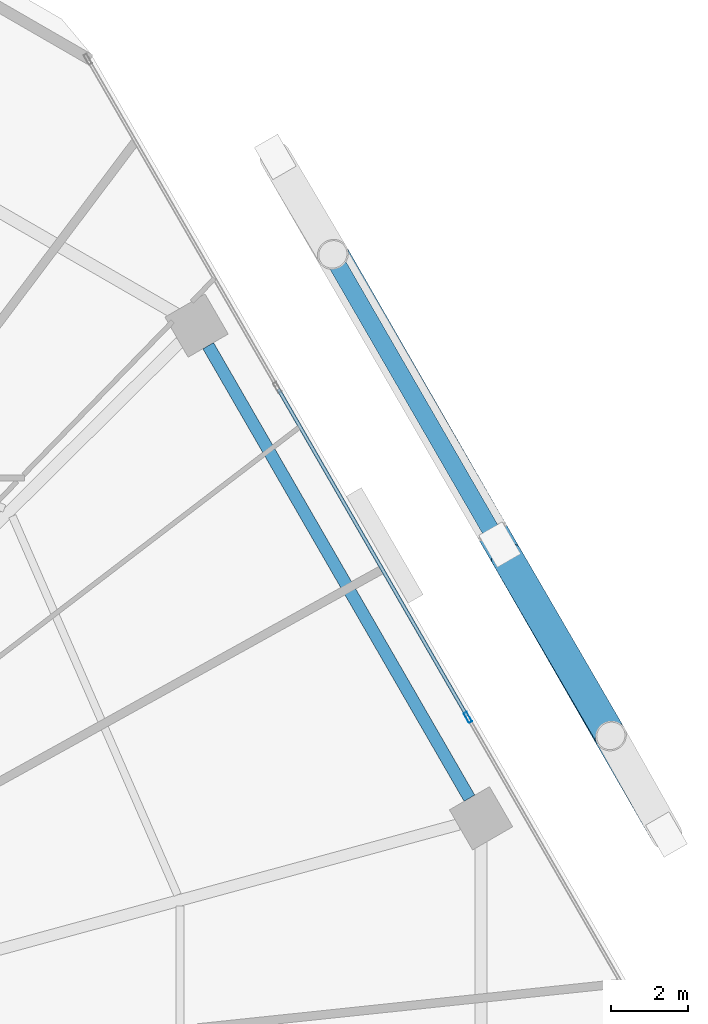
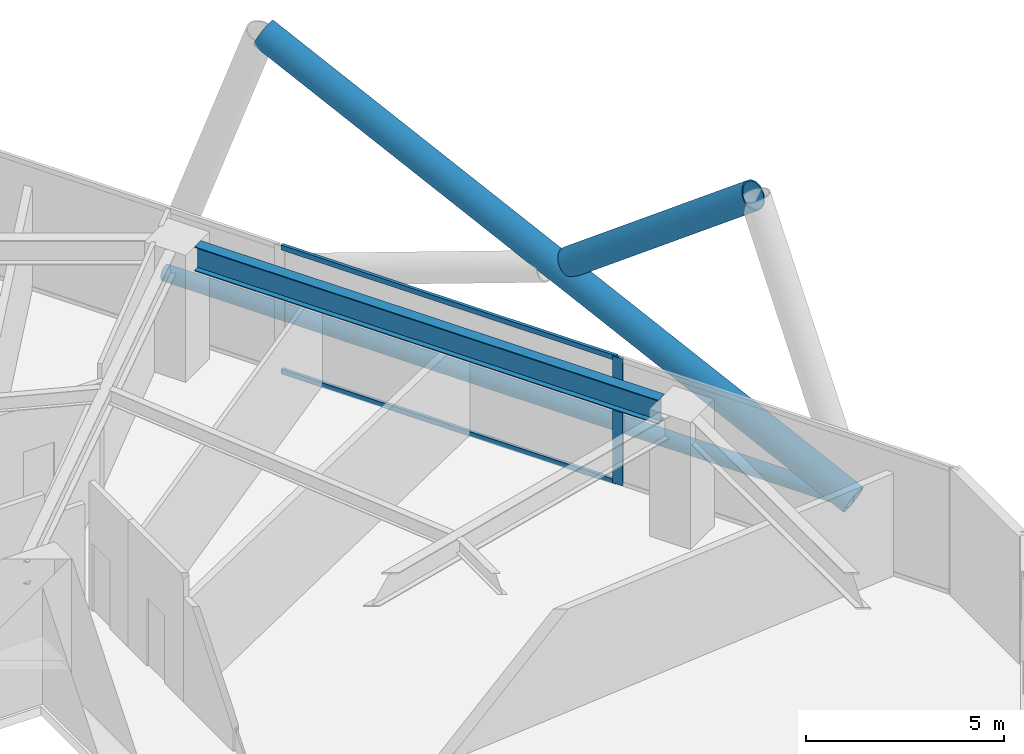
# One storey, part 19 of 30: 6 members, 1 beam, 1 element without a shape of its own.
"""IFC4 building model written with IfcOpenShell, lengths in metres."""

from ifc_helpers import new_model, si_unit, direction, frame, origin, origin_2d, place, context, subcontext, project, spatial, hollow_rectangle, hollow_circle, i_section, extrude, material, material_profile, profile_set, type_object, element, aggregate, save


model = new_model("IFC4")

# Units and contexts
model_context = context("Model", 3, precision=1e-05, world=origin(), true_north=direction((0.0, 1.0)))
body_context = subcontext(model_context, "Body", "Model", "MODEL_VIEW")
ifc_project = project(units=[si_unit("LENGTHUNIT", "METRE"), si_unit("AREAUNIT", "SQUARE_METRE"), si_unit("VOLUMEUNIT", "CUBIC_METRE"), si_unit("PLANEANGLEUNIT", "RADIAN"), si_unit("MASSUNIT", "GRAM", prefix="KILO")], contexts=[model_context])

# Site, building, storey
site_placement = place(None, origin())
site = spatial("IfcSite", under=ifc_project, at=site_placement, CompositionType="ELEMENT")
building_placement = place(site_placement, origin())
building = spatial("IfcBuilding", under=site, at=building_placement, Name="Zuhravey Tower", CompositionType="ELEMENT")
storey_placement = place(building_placement, frame((0.0, 0.0, 58.199951171875)))
storey = spatial("IfcBuildingStorey", under=building, at=storey_placement, Name="L14", CompositionType="ELEMENT", Elevation=58.199951171875)

# Curtain wall, members
ifc_material_1 = material(Name="Thermally broken anodised aluminium", Category="aluminium")
curtain_wall_type = type_object("IfcCurtainWallType", Name="School Low-E Unitised Curtain Wall CW1", PredefinedType="NOTDEFINED", material=ifc_material_1)
curtain_wall_placement = place(storey_placement, origin())
curtain_wall = element("IfcCurtainWall", 1, at=curtain_wall_placement, inside=storey, type_object=curtain_wall_type, Name="L14 CW1 CW-L14-F1-1", PredefinedType="NOTDEFINED")
ifc_material_2 = material(Name="Anodised aluminium", Category="aluminium")
ifc_material_profile_1 = material_profile(ifc_material_2, hollow_rectangle(XDim=0.090087890625, YDim=0.284912109375, WallThickness=0.0048828125, at=origin_2d()), Name="ALU-RHS-90x285x5")
ifc_profile_set_1 = profile_set([ifc_material_profile_1], Name="Anodised aluminium")
member_type_1 = type_object("IfcMemberType", Name="Curtain-Wall Mullion 90x180", PredefinedType="MULLION", material=ifc_profile_set_1)
member_1_placement = place(storey_placement, frame((63.54541015625, 42.20703125, 0.0), z_axis=(0.0, 0.0, 1.0), x_axis=(0.86602552265, 0.499999794119, 0.0)))
member_1 = element("IfcMember", 2, at=member_1_placement, type_object=member_type_1, Name="CW1 mullion 3", PredefinedType="MULLION", context=body_context, shape_type="SweptSolid", body=[
    extrude(hollow_rectangle(XDim=0.090087890625, YDim=0.284912109375, WallThickness=0.0048828125, at=origin_2d()), origin(), (0.0, 0.0, 1.0), 3.920166015625),
])
ifc_material_profile_2 = material_profile(ifc_material_2, hollow_rectangle(XDim=0.090087890625, YDim=0.14990234375, WallThickness=0.0048828125, at=origin_2d()), Name="ALU-RHS-90x150x5")
ifc_profile_set_2 = profile_set([ifc_material_profile_2], Name="Anodised aluminium")
member_type_2 = type_object("IfcMemberType", Name="Curtain-Wall Transom 90x150", PredefinedType="USERDEFINED", material=ifc_profile_set_2)
member_2_placement = place(storey_placement, frame((58.634765625, 50.712646484375, 0.045166015625), z_axis=(0.499990498062, -0.866030889661, 0.0), x_axis=(0.866030889661, 0.499990498062, 0.0)))
member_2 = element("IfcMember", 3, at=member_2_placement, type_object=member_type_2, Name="CW1 transom 2.1", ObjectType="TRANSOM", PredefinedType="USERDEFINED", context=body_context, shape_type="SweptSolid", body=[
    extrude(hollow_rectangle(XDim=0.090087890625, YDim=0.14990234375, WallThickness=0.0048828125, at=origin_2d()), origin(), (0.0, 0.0, 1.0), 9.776611328125),
])
member_3_placement = place(storey_placement, frame((58.634765625, 50.712646484375, 3.875), z_axis=(0.499990498062, -0.866030889661, 0.0), x_axis=(0.866030889661, 0.499990498062, 0.0)))
member_3 = element("IfcMember", 4, at=member_3_placement, type_object=member_type_2, Name="CW1 transom 2.2", ObjectType="TRANSOM", PredefinedType="USERDEFINED", context=body_context, shape_type="SweptSolid", body=[
    extrude(hollow_rectangle(XDim=0.090087890625, YDim=0.14990234375, WallThickness=0.0048828125, at=origin_2d()), origin(), (0.0, 0.0, 1.0), 9.776611328125),
])
aggregate(curtain_wall, [member_1, member_2, member_3])

# Members
ifc_material_3 = material(Name="Steel SM355", Category="steel")
ifc_material_profile_3 = material_profile(ifc_material_3, hollow_circle(Radius=0.228515625, WallThickness=0.02197265625, at=origin_2d()), Name="CHS-457.2x22")
ifc_profile_set_3 = profile_set([ifc_material_profile_3], Name="Steel SM355")
member_type_3 = type_object("IfcMemberType", Name="Exoskeleton Ring Tie CHS457x22", PredefinedType="CHORD", material=ifc_profile_set_3)
member_4_placement = place(storey_placement, frame((68.623291015625, 39.291748046875, -0.493896484375), z_axis=(-0.500001503855, 0.866024535532, 0.0), x_axis=(-0.866024535532, -0.500001503855, 0.0)))
element("IfcMember", 5, at=member_4_placement, inside=storey, type_object=member_type_3, Name="L14 Exoskeleton Face 1 Tie EXR1", PredefinedType="CHORD", context=body_context, shape_type="SweptSolid", body=[
    extrude(hollow_circle(Radius=0.228515625, WallThickness=0.02197265625, at=origin_2d()), origin(), (0.0, 0.0, 1.0), 19.99365234375),
])
ifc_material_4 = material(Name="Steel SM460", Category="steel")
ifc_material_profile_4 = material_profile(ifc_material_4, hollow_circle(Radius=0.406494140625, WallThickness=0.035888671875, at=origin_2d()), Name="CHS-812.8x36")
ifc_profile_set_4 = profile_set([ifc_material_profile_4], Name="Steel SM460")
member_type_4 = type_object("IfcMemberType", Name="Exoskeleton Zone 1 Diagrid CHS813x36", PredefinedType="BRACE", material=ifc_profile_set_4)
member_5_placement = place(storey_placement, frame((68.670654296875, 39.2099609375, -0.471923828125), z_axis=(-0.448582173106, 0.780090273761, 0.436157309642), x_axis=(-0.866891768768, -0.498496400431, 0.0)))
element("IfcMember", 6, at=member_5_placement, inside=storey, type_object=member_type_4, Name="L14 Face 1 Diagrid Brace 2", PredefinedType="BRACE", context=body_context, shape_type="SweptSolid", body=[
    extrude(hollow_circle(Radius=0.406494140625, WallThickness=0.035888671875, at=origin_2d()), origin(), (0.0, 0.0, 1.0), 19.158203125),
])
member_6_placement = place(storey_placement, frame((64.5341796875, 46.406005859375, 3.940673828125), z_axis=(0.404897066757, -0.697108611354, 0.591690754793), x_axis=(0.86472197136, 0.502250845939, 0.0)))
element("IfcMember", 7, at=member_6_placement, inside=storey, type_object=member_type_4, Name="L14 Face 1 Split Diagrid Brace 3B", PredefinedType="BRACE", context=body_context, shape_type="SweptSolid", body=[
    extrude(hollow_circle(Radius=0.406494140625, WallThickness=0.035888671875, at=origin_2d()), origin(), (0.0, 0.0, 1.0), 6.6513671875),
])

# Beam
ifc_material_profile_5 = material_profile(ifc_material_3, i_section(OverallWidth=0.320068359375, OverallDepth=0.75, WebThickness=0.013916015625, FlangeThickness=0.02490234375, at=origin_2d()), Name="H-750x320x14x25")
ifc_profile_set_5 = profile_set([ifc_material_profile_5], Name="Steel SM355")
beam_type = type_object("IfcBeamType", Name="Perimeter Ring Beam H750x320", PredefinedType="BEAM", material=ifc_profile_set_5)
beam_placement = place(storey_placement, frame((63.587646484375, 40.11376953125, 3.545166015625), z_axis=(-0.499999877243, 0.866025474658, 0.0), x_axis=(-0.866025474658, -0.499999877243, 0.0)))
element("IfcBeam", 8, at=beam_placement, inside=storey, type_object=beam_type, Name="L14 PB1 BM-L14-PB-01", PredefinedType="BEAM", context=body_context, shape_type="SweptSolid", body=[
    extrude(i_section(OverallWidth=0.320068359375, OverallDepth=0.75, WebThickness=0.013916015625, FlangeThickness=0.02490234375, at=origin_2d()), origin(), (0.0, 0.0, 1.0), 13.5341796875),
])

save(model, "model.ifc")
